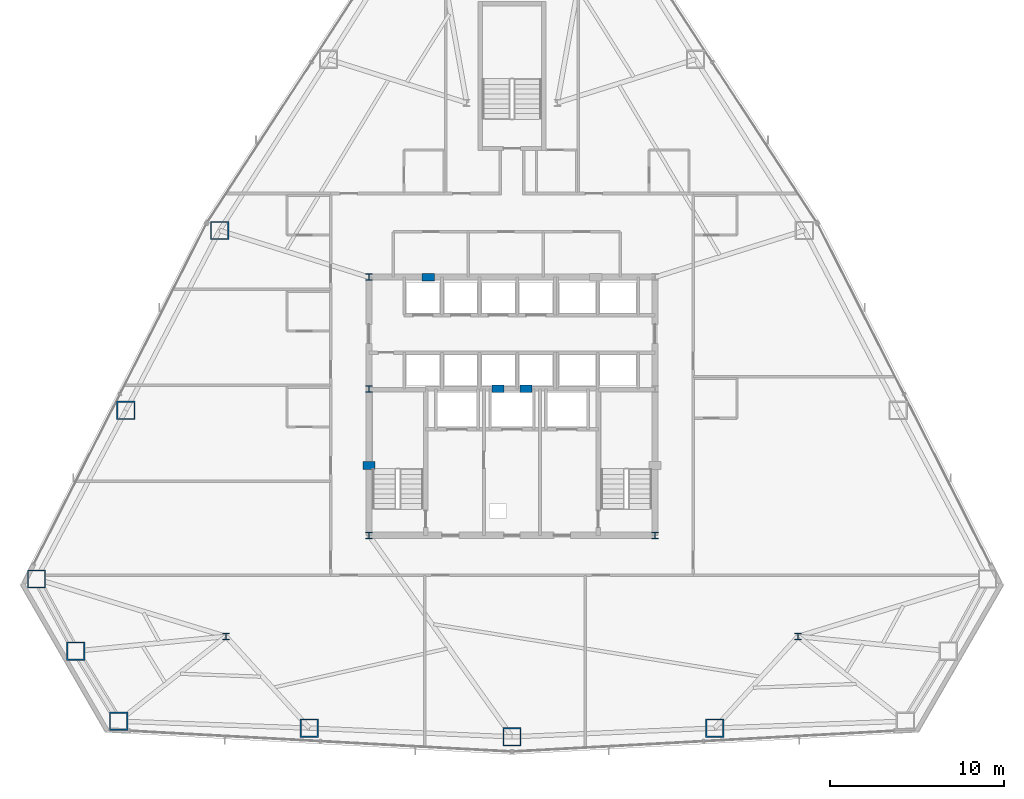
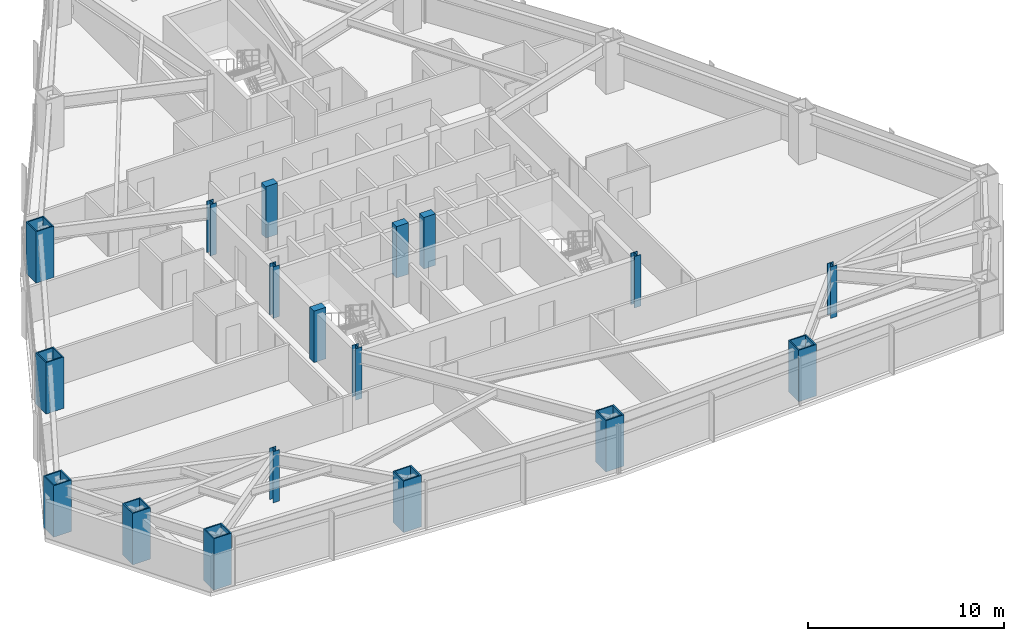
# One storey, part 1 of 12: 18 columns.
"""IFC4 building model written with IfcOpenShell, lengths in metres."""

from ifc_helpers import new_model, si_unit, direction, frame, origin, origin_2d, place, context, subcontext, project, spatial, rectangle, hollow_rectangle, i_section, extrude, material, material_profile, profile_set, type_object, element, save


model = new_model("IFC4")

# Units and contexts
model_context = context("Model", 3, precision=1e-05, world=origin(), true_north=direction((0.0, 1.0)))
body_context = subcontext(model_context, "Body", "Model", "MODEL_VIEW")
ifc_project = project(units=[si_unit("LENGTHUNIT", "METRE"), si_unit("AREAUNIT", "SQUARE_METRE"), si_unit("VOLUMEUNIT", "CUBIC_METRE"), si_unit("PLANEANGLEUNIT", "RADIAN"), si_unit("MASSUNIT", "GRAM", prefix="KILO")], contexts=[model_context])

# Site, building, storey
site_placement = place(None, origin())
site = spatial("IfcSite", under=ifc_project, at=site_placement, CompositionType="ELEMENT")
building_placement = place(site_placement, origin())
building = spatial("IfcBuilding", under=site, at=building_placement, Name="Varakhsha Concourse Tower", CompositionType="ELEMENT")
storey_placement = place(building_placement, frame((0.0, 0.0, 79.800048828125)))
storey = spatial("IfcBuildingStorey", under=building, at=storey_placement, Name="L22", CompositionType="ELEMENT", Elevation=79.800048828125)

# Columns
ifc_material_1 = material(Name="Structural Steel ASTM A992 Grade 50", Category="steel")
ifc_material_profile_1 = material_profile(ifc_material_1, i_section(OverallWidth=0.3740234375, OverallDepth=0.3720703125, WebThickness=0.01611328125, FlangeThickness=0.02587890625, at=origin_2d()), Name="W14X132")
ifc_profile_set_1 = profile_set([ifc_material_profile_1], Name="Structural Steel ASTM A992 Grade 50")
column_type_1 = type_object("IfcColumnType", Name="CL-CORE-W14X132", PredefinedType="COLUMN", material=ifc_profile_set_1)
for number, where, z_axis, x_axis, name in (
    (1, (31.800048828125, 16.39990234375, 0.0), (0.0, 0.0, 1.0), (1.0, 0.0, 0.0), "L22 Core Column CC-SW"),
    (2, (48.199951171875, 16.39990234375, 0.0), (0.0, 0.0, 1.0), (1.0, 0.0, 0.0), "L22 Core Column CC-SE"),
    (3, (31.800048828125, 24.800048828125, 0.0), (0.0, 0.0, 1.0), (1.0, 0.0, 0.0), "L22 Core Column CC-MW"),
    (4, (31.800048828125, 31.199951171875, 0.0), (0.0, 0.0, 1.0), (1.0, 0.0, 0.0), "L22 Core Column CC-NW"),
    (5, (23.60009765625, 10.60009765625, 0.0), (0.0, 0.0, 1.0), (1.0, 0.0, 0.0), "L22 Core Column SS-W"),
    (6, (56.39990234375, 10.60009765625, 0.0), (0.0, 0.0, 1.0), (1.0, 0.0, 0.0), "L22 Core Column SS-E"),
):
    element("IfcColumn", number, at=place(storey_placement, frame(where, z_axis=z_axis, x_axis=x_axis)), inside=storey, type_object=column_type_1, Name=name, PredefinedType="COLUMN", context=body_context, shape_type="SweptSolid", body=[
        extrude(i_section(OverallWidth=0.3740234375, OverallDepth=0.3720703125, WebThickness=0.01611328125, FlangeThickness=0.02587890625, at=origin_2d()), origin(), (0.0, 0.0, 1.0), 3.199951171875),
    ])
ifc_material_2 = material(Name="Concrete fc 65 MPa", Category="concrete")
ifc_material_profile_2 = material_profile(ifc_material_2, rectangle(XDim=0.699951171875, YDim=0.449951171875, at=origin_2d()), Name="RC 700x450")
ifc_profile_set_2 = profile_set([ifc_material_profile_2], Name="Concrete fc 65 MPa")
column_type_2 = type_object("IfcColumnType", Name="CL-PIL-700X450", PredefinedType="PILASTER", material=ifc_profile_set_2)
for number, where, z_axis, x_axis, name in (
    (7, (31.800048828125, 20.39990234375, 0.0), (0.0, 0.0, 1.0), (1.0, 0.0, 0.0), "L22 Core Boundary Pilaster PIL-W1"),
    (8, (35.199951171875, 31.199951171875, 0.0), (0.0, 0.0, 1.0), (1.0, 0.0, 0.0), "L22 Core Boundary Pilaster PIL-N1"),
    (9, (39.199951171875, 24.800048828125, 0.0), (0.0, 0.0, 1.0), (1.0, 0.0, 0.0), "L22 Core Boundary Pilaster PIL-M1"),
    (10, (40.800048828125, 24.800048828125, 0.0), (0.0, 0.0, 1.0), (1.0, 0.0, 0.0), "L22 Core Boundary Pilaster PIL-M2"),
):
    element("IfcColumn", number, at=place(storey_placement, frame(where, z_axis=z_axis, x_axis=x_axis)), inside=storey, type_object=column_type_2, Name=name, PredefinedType="PILASTER", context=body_context, shape_type="SweptSolid", body=[
        extrude(rectangle(XDim=0.699951171875, YDim=0.449951171875, at=origin_2d()), origin(), (0.0, 0.0, 1.0), 3.199951171875),
    ])
ifc_material_3 = material(Name="Structural Steel ASTM A572 Grade 50", Category="steel")
ifc_material_profile_3 = material_profile(ifc_material_3, hollow_rectangle(XDim=1.050048828125, YDim=1.050048828125, WallThickness=0.070068359375, at=origin_2d()), Name="BOX 1050x1050x70")
ifc_profile_set_3 = profile_set([ifc_material_profile_3], Name="Structural Steel ASTM A572 Grade 50")
column_type_3 = type_object("IfcColumnType", Name="CL-TUBE-1050", PredefinedType="COLUMN", material=ifc_profile_set_3)
for number, where, z_axis, x_axis, name in (
    (11, (23.237060546875, 33.878173828125, 0.0), (0.0, 0.0, 1.0), (1.0, 0.0, 0.0), "L22 Framed-Tube Column TC05"),
    (12, (17.85986328125, 23.562744140625, 0.0), (0.0, 0.0, 1.0), (1.0, 0.0, 0.0), "L22 Framed-Tube Column TC06"),
    (13, (12.73583984375, 13.8955078125, 0.0), (0.0, 0.0, 1.0), (1.0, 0.0, 0.0), "L22 Framed-Tube Column TC07"),
    (14, (14.987060546875, 9.7587890625, 0.0), (0.0, 0.0, 1.0), (1.0, 0.0, 0.0), "L22 Framed-Tube Column TC08"),
    (15, (17.44384765625, 5.740966796875, 0.0), (0.0, 0.0, 1.0), (1.0, 0.0, 0.0), "L22 Framed-Tube Column TC09"),
    (16, (28.378173828125, 5.344482421875, 0.0), (0.0, 0.0, 1.0), (1.0, 0.0, 0.0), "L22 Framed-Tube Column TC10"),
    (17, (40.0, 4.84375, 0.0), (0.0, 0.0, 1.0), (1.0, 0.0, 0.0), "L22 Framed-Tube Column TC11"),
    (18, (51.621826171875, 5.344482421875, 0.0), (0.0, 0.0, 1.0), (1.0, 0.0, 0.0), "L22 Framed-Tube Column TC12"),
):
    element("IfcColumn", number, at=place(storey_placement, frame(where, z_axis=z_axis, x_axis=x_axis)), inside=storey, type_object=column_type_3, Name=name, PredefinedType="COLUMN", context=body_context, shape_type="SweptSolid", body=[
        extrude(hollow_rectangle(XDim=1.050048828125, YDim=1.050048828125, WallThickness=0.070068359375, at=origin_2d()), origin(), (0.0, 0.0, 1.0), 3.199951171875),
    ])

save(model, "model.ifc")
